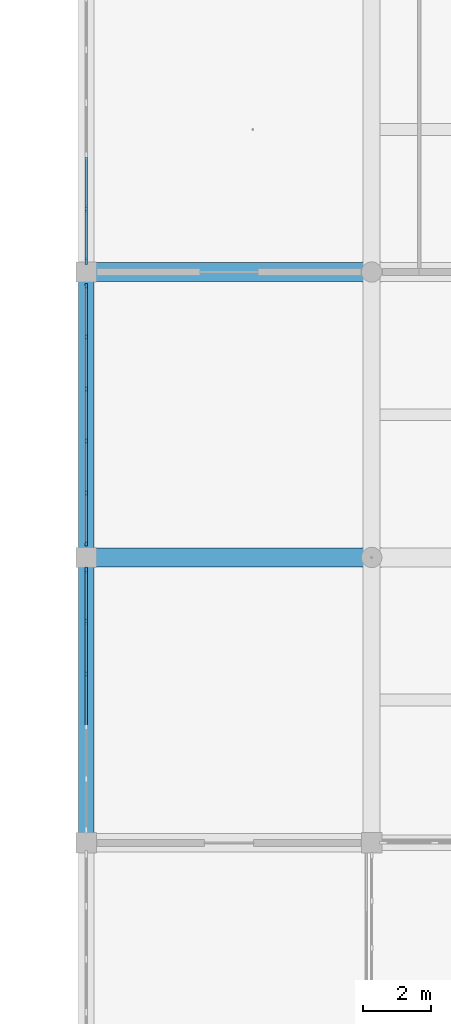
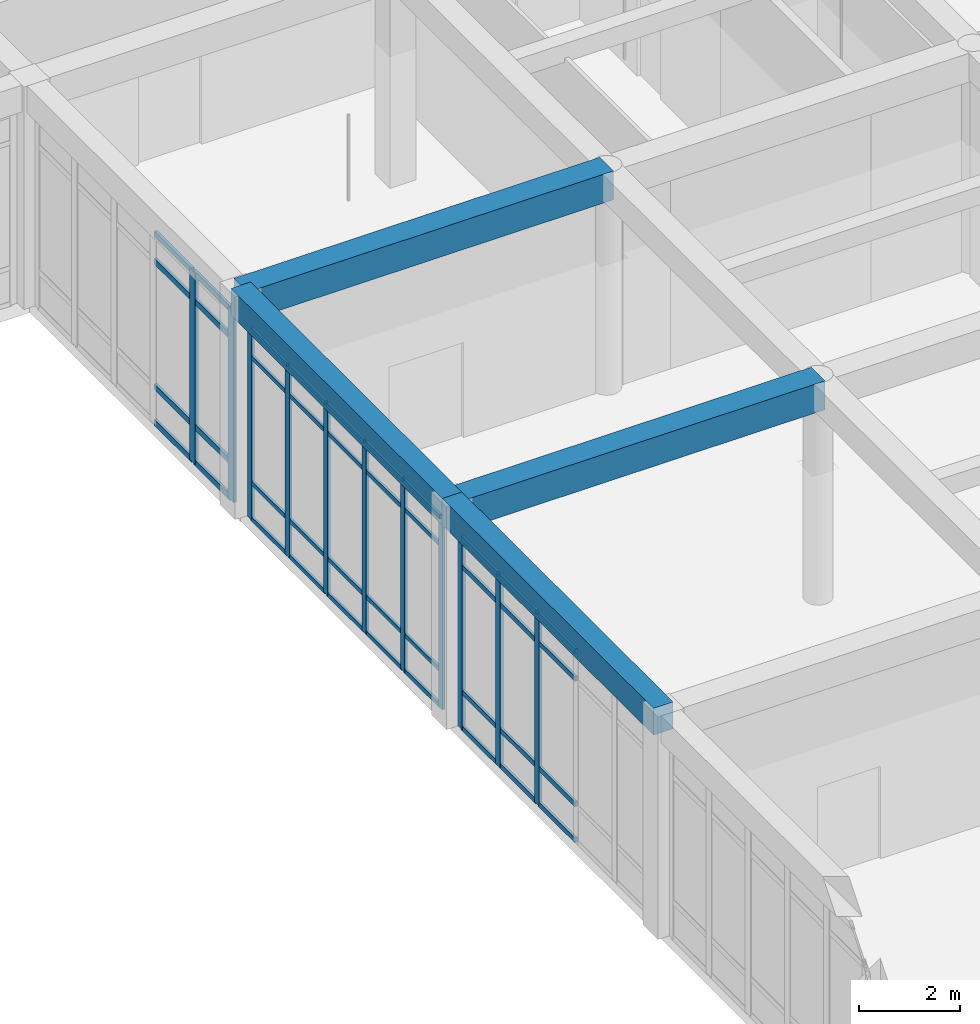
# One storey, part 33 of 157: 51 members, 4 beams, 3 elements without a shape of their own.
"""IFC4 building model written with IfcOpenShell, lengths in metres."""

from ifc_helpers import new_model, si_unit, direction, frame, origin, origin_2d, place, context, subcontext, project, spatial, rectangle, extrude, material, material_profile, profile_set, type_object, element, aggregate, save


model = new_model("IFC4")

# Units and contexts
model_context = context("Model", 3, precision=1e-05, world=origin(), true_north=direction((0.0, 1.0)))
body_context = subcontext(model_context, "Body", "Model", "MODEL_VIEW")
ifc_project = project(units=[si_unit("LENGTHUNIT", "METRE"), si_unit("AREAUNIT", "SQUARE_METRE"), si_unit("VOLUMEUNIT", "CUBIC_METRE"), si_unit("PLANEANGLEUNIT", "RADIAN"), si_unit("MASSUNIT", "GRAM", prefix="KILO")], contexts=[model_context])

# Site, building, storey
site_placement = place(None, origin())
site = spatial("IfcSite", under=ifc_project, at=site_placement, CompositionType="ELEMENT")
building_placement = place(site_placement, origin())
building = spatial("IfcBuilding", under=site, at=building_placement, Name="Varncliffe General Hospital", CompositionType="ELEMENT")
storey_placement = place(building_placement, frame((0.0, 0.0, 5.39990234375)))
storey = spatial("IfcBuildingStorey", under=building, at=storey_placement, Name="L01", CompositionType="ELEMENT", Elevation=5.39990234375)

# Beams
ifc_material_1 = material(Name="Concrete C35/45 (CSA A23.1 35 MPa)", Category="concrete")
ifc_material_profile_1 = material_profile(ifc_material_1, rectangle(XDim=0.550048828125, YDim=0.699951171875, at=origin_2d()), Name="RC 550x700")
ifc_profile_set_1 = profile_set([ifc_material_profile_1], Name="Concrete C35/45 (CSA A23.1 35 MPa)")
beam_type_1 = type_object("IfcBeamType", Name="Beam B35 (Int RC 550x700)", PredefinedType="BEAM", material=ifc_profile_set_1)
for number, where, z_axis, x_axis, name in (
    (1, (58.800048828125, 66.0, 5.050048828125), (1.0, 0.0, 0.0), (0.0, 1.0, 0.0), "L01 Primary Beam B35-89"),
    (2, (58.800048828125, 74.39990234375, 5.050048828125), (1.0, 0.0, 0.0), (0.0, 1.0, 0.0), "L01 Primary Beam B35-102"),
):
    element("IfcBeam", number, at=place(storey_placement, frame(where, z_axis=z_axis, x_axis=x_axis)), inside=storey, type_object=beam_type_1, Name=name, PredefinedType="BEAM", context=body_context, shape_type="SweptSolid", body=[
        extrude(rectangle(XDim=0.550048828125, YDim=0.699951171875, at=origin_2d()), origin(), (0.0, 0.0, 1.0), 8.39990234375),
    ])

# Curtain wall, members
ifc_material_2 = material(Name="Triple low-E argon insulated vision glazing", Category="glass")
curtain_wall_type_1 = type_object("IfcCurtainWallType", Name="Unitised Glazed Curtain Wall CW70 (7724x4640)", PredefinedType="USERDEFINED", material=ifc_material_2)
curtain_wall_1_placement = place(storey_placement, origin())
curtain_wall_1 = element("IfcCurtainWall", 3, at=curtain_wall_1_placement, inside=storey, type_object=curtain_wall_type_1, Name="L01 Glazed Curtain Wall CW70-88", ObjectType="GLAZED CURTAIN WALL", PredefinedType="USERDEFINED")
ifc_material_3 = material(Name="Dark bronze thermally broken aluminium framing", Category="aluminium")
ifc_material_profile_2 = material_profile(ifc_material_3, rectangle(XDim=0.074951171875, YDim=0.179931640625, at=origin_2d()), Name="ALU 75x180")
ifc_profile_set_2 = profile_set([ifc_material_profile_2], Name="Dark bronze thermally broken aluminium framing")
member_type_1 = type_object("IfcMemberType", Name="Curtain Wall Mullion CM44 (ALU 75x180)", PredefinedType="MULLION", material=ifc_profile_set_2)
member_1_placement = place(storey_placement, frame((58.800048828125, 62.572509765625, 0.0), z_axis=(0.0, 0.0, 1.0), x_axis=(-1.0, 0.0, 0.0)))
member_1 = element("IfcMember", 4, at=member_1_placement, type_object=member_type_1, Name="CW70 mullion 4", PredefinedType="MULLION", context=body_context, shape_type="SweptSolid", body=[
    extrude(rectangle(XDim=0.074951171875, YDim=0.179931640625, at=origin_2d()), origin(), (0.0, 0.0, 1.0), 4.64013671875),
])
member_2_placement = place(storey_placement, frame((58.800048828125, 64.1171875, 0.0), z_axis=(0.0, 0.0, 1.0), x_axis=(-1.0, 0.0, 0.0)))
member_2 = element("IfcMember", 5, at=member_2_placement, type_object=member_type_1, Name="CW70 mullion 5", PredefinedType="MULLION", context=body_context, shape_type="SweptSolid", body=[
    extrude(rectangle(XDim=0.074951171875, YDim=0.179931640625, at=origin_2d()), origin(), (0.0, 0.0, 1.0), 4.64013671875),
])
member_3_placement = place(storey_placement, frame((58.800048828125, 65.62451171875, 0.0), z_axis=(0.0, 0.0, 1.0), x_axis=(-1.0, 0.0, 0.0)))
member_3 = element("IfcMember", 6, at=member_3_placement, type_object=member_type_1, Name="CW70 mullion 6", PredefinedType="MULLION", context=body_context, shape_type="SweptSolid", body=[
    extrude(rectangle(XDim=0.074951171875, YDim=0.179931640625, at=origin_2d()), origin(), (0.0, 0.0, 1.0), 4.64013671875),
])

curtain_wall_type_2 = type_object("IfcCurtainWallType", Name="Unitised Glazed Curtain Wall CW27 (7644x4640)", PredefinedType="USERDEFINED", material=ifc_material_2)
curtain_wall_2_placement = place(storey_placement, origin())
curtain_wall_2 = element("IfcCurtainWall", 7, at=curtain_wall_2_placement, inside=storey, type_object=curtain_wall_type_2, Name="L01 Glazed Curtain Wall CW27-89", ObjectType="GLAZED CURTAIN WALL", PredefinedType="USERDEFINED")
ifc_material_profile_3 = material_profile(ifc_material_3, rectangle(XDim=0.06494140625, YDim=0.159912109375, at=origin_2d()), Name="ALU 65x160")
ifc_profile_set_3 = profile_set([ifc_material_profile_3], Name="Dark bronze thermally broken aluminium framing")
member_type_2 = type_object("IfcMemberType", Name="Curtain Wall Mullion CM65 (ALU 65x160)", PredefinedType="MULLION", material=ifc_profile_set_3)
member_4_placement = place(storey_placement, frame((58.800048828125, 66.410400390625, 0.0), z_axis=(0.0, 0.0, 1.0), x_axis=(-1.0, 0.0, 0.0)))
member_4 = element("IfcMember", 8, at=member_4_placement, type_object=member_type_2, Name="CW27 mullion 1", PredefinedType="MULLION", context=body_context, shape_type="SweptSolid", body=[
    extrude(rectangle(XDim=0.06494140625, YDim=0.159912109375, at=origin_2d()), origin(), (0.0, 0.0, 1.0), 4.64013671875),
])
member_5_placement = place(storey_placement, frame((58.800048828125, 67.90673828125, 0.0), z_axis=(0.0, 0.0, 1.0), x_axis=(-1.0, 0.0, 0.0)))
member_5 = element("IfcMember", 9, at=member_5_placement, type_object=member_type_2, Name="CW27 mullion 2", PredefinedType="MULLION", context=body_context, shape_type="SweptSolid", body=[
    extrude(rectangle(XDim=0.06494140625, YDim=0.159912109375, at=origin_2d()), origin(), (0.0, 0.0, 1.0), 4.64013671875),
])
member_6_placement = place(storey_placement, frame((58.800048828125, 69.435546875, 0.0), z_axis=(0.0, 0.0, 1.0), x_axis=(-1.0, 0.0, 0.0)))
member_6 = element("IfcMember", 10, at=member_6_placement, type_object=member_type_2, Name="CW27 mullion 3", PredefinedType="MULLION", context=body_context, shape_type="SweptSolid", body=[
    extrude(rectangle(XDim=0.06494140625, YDim=0.159912109375, at=origin_2d()), origin(), (0.0, 0.0, 1.0), 4.64013671875),
])
member_7_placement = place(storey_placement, frame((58.800048828125, 70.96435546875, 0.0), z_axis=(0.0, 0.0, 1.0), x_axis=(-1.0, 0.0, 0.0)))
member_7 = element("IfcMember", 11, at=member_7_placement, type_object=member_type_2, Name="CW27 mullion 4", PredefinedType="MULLION", context=body_context, shape_type="SweptSolid", body=[
    extrude(rectangle(XDim=0.06494140625, YDim=0.159912109375, at=origin_2d()), origin(), (0.0, 0.0, 1.0), 4.64013671875),
])
member_8_placement = place(storey_placement, frame((58.800048828125, 72.4931640625, 0.0), z_axis=(0.0, 0.0, 1.0), x_axis=(-1.0, 0.0, 0.0)))
member_8 = element("IfcMember", 12, at=member_8_placement, type_object=member_type_2, Name="CW27 mullion 5", PredefinedType="MULLION", context=body_context, shape_type="SweptSolid", body=[
    extrude(rectangle(XDim=0.06494140625, YDim=0.159912109375, at=origin_2d()), origin(), (0.0, 0.0, 1.0), 4.64013671875),
])
member_9_placement = place(storey_placement, frame((58.800048828125, 73.989501953125, 0.0), z_axis=(0.0, 0.0, 1.0), x_axis=(-1.0, 0.0, 0.0)))
member_9 = element("IfcMember", 13, at=member_9_placement, type_object=member_type_2, Name="CW27 mullion 6", PredefinedType="MULLION", context=body_context, shape_type="SweptSolid", body=[
    extrude(rectangle(XDim=0.06494140625, YDim=0.159912109375, at=origin_2d()), origin(), (0.0, 0.0, 1.0), 4.64013671875),
])

curtain_wall_type_3 = type_object("IfcCurtainWallType", Name="Unitised Glazed Curtain Wall CW85 (7804x4640)", PredefinedType="USERDEFINED", material=ifc_material_2)
curtain_wall_3_placement = place(storey_placement, origin())
curtain_wall_3 = element("IfcCurtainWall", 14, at=curtain_wall_3_placement, inside=storey, type_object=curtain_wall_type_3, Name="L01 Glazed Curtain Wall CW85-90", ObjectType="GLAZED CURTAIN WALL", PredefinedType="USERDEFINED")
ifc_material_profile_4 = material_profile(ifc_material_3, rectangle(XDim=0.074951171875, YDim=0.219970703125, at=origin_2d()), Name="ALU 75x220")
ifc_profile_set_4 = profile_set([ifc_material_profile_4], Name="Dark bronze thermally broken aluminium framing")
member_type_3 = type_object("IfcMemberType", Name="Curtain Wall Mullion CM74 (ALU 75x220)", PredefinedType="MULLION", material=ifc_profile_set_4)
member_10_placement = place(storey_placement, frame((58.800048828125, 74.735595703125, 0.0), z_axis=(0.0, 0.0, 1.0), x_axis=(-1.0, 0.0, 0.0)))
member_10 = element("IfcMember", 15, at=member_10_placement, type_object=member_type_3, Name="CW85 mullion 1", PredefinedType="MULLION", context=body_context, shape_type="SweptSolid", body=[
    extrude(rectangle(XDim=0.074951171875, YDim=0.219970703125, at=origin_2d()), origin(), (0.0, 0.0, 1.0), 4.64013671875),
])
member_11_placement = place(storey_placement, frame((58.800048828125, 76.2587890625, 0.0), z_axis=(0.0, 0.0, 1.0), x_axis=(-1.0, 0.0, 0.0)))
member_11 = element("IfcMember", 16, at=member_11_placement, type_object=member_type_3, Name="CW85 mullion 2", PredefinedType="MULLION", context=body_context, shape_type="SweptSolid", body=[
    extrude(rectangle(XDim=0.074951171875, YDim=0.219970703125, at=origin_2d()), origin(), (0.0, 0.0, 1.0), 4.64013671875),
])

# Member
ifc_material_profile_5 = material_profile(ifc_material_3, rectangle(XDim=0.06005859375, YDim=0.1201171875, at=origin_2d()), Name="ALU 60x120")
ifc_profile_set_5 = profile_set([ifc_material_profile_5], Name="Dark bronze thermally broken aluminium framing")
member_type_4 = type_object("IfcMemberType", Name="Curtain Wall Transom CT14 (ALU 60x120)", PredefinedType="USERDEFINED", material=ifc_profile_set_5)
member_12_placement = place(storey_placement, frame((58.800048828125, 61.065185546875, 0.030029296875), z_axis=(0.0, 1.0, 0.0), x_axis=(-1.0, 0.0, 0.0)))
member_12 = element("IfcMember", 17, at=member_12_placement, type_object=member_type_4, Name="CW70 transom 3.1", ObjectType="TRANSOM", PredefinedType="USERDEFINED", context=body_context, shape_type="SweptSolid", body=[
    extrude(rectangle(XDim=0.06005859375, YDim=0.1201171875, at=origin_2d()), origin(), (0.0, 0.0, 1.0), 1.4697265625),
])

member_13_placement = place(storey_placement, frame((58.800048828125, 61.065185546875, 0.900146484375), z_axis=(0.0, 1.0, 0.0), x_axis=(-1.0, 0.0, 0.0)))
member_13 = element("IfcMember", 18, at=member_13_placement, type_object=member_type_4, Name="CW70 transom 3.2", ObjectType="TRANSOM", PredefinedType="USERDEFINED", context=body_context, shape_type="SweptSolid", body=[
    extrude(rectangle(XDim=0.06005859375, YDim=0.1201171875, at=origin_2d()), origin(), (0.0, 0.0, 1.0), 1.4697265625),
])

member_14_placement = place(storey_placement, frame((58.800048828125, 61.065185546875, 3.940185546875), z_axis=(0.0, 1.0, 0.0), x_axis=(-1.0, 0.0, 0.0)))
member_14 = element("IfcMember", 19, at=member_14_placement, type_object=member_type_4, Name="CW70 transom 3.3", ObjectType="TRANSOM", PredefinedType="USERDEFINED", context=body_context, shape_type="SweptSolid", body=[
    extrude(rectangle(XDim=0.06005859375, YDim=0.1201171875, at=origin_2d()), origin(), (0.0, 0.0, 1.0), 1.4697265625),
])

member_15_placement = place(storey_placement, frame((58.800048828125, 61.065185546875, 4.610107421875), z_axis=(0.0, 1.0, 0.0), x_axis=(-1.0, 0.0, 0.0)))
member_15 = element("IfcMember", 20, at=member_15_placement, type_object=member_type_4, Name="CW70 transom 3.4", ObjectType="TRANSOM", PredefinedType="USERDEFINED", context=body_context, shape_type="SweptSolid", body=[
    extrude(rectangle(XDim=0.06005859375, YDim=0.1201171875, at=origin_2d()), origin(), (0.0, 0.0, 1.0), 1.4697265625),
])

member_16_placement = place(storey_placement, frame((58.800048828125, 62.60986328125, 0.030029296875), z_axis=(0.0, 1.0, 0.0), x_axis=(-1.0, 0.0, 0.0)))
member_16 = element("IfcMember", 21, at=member_16_placement, type_object=member_type_4, Name="CW70 transom 4.1", ObjectType="TRANSOM", PredefinedType="USERDEFINED", context=body_context, shape_type="SweptSolid", body=[
    extrude(rectangle(XDim=0.06005859375, YDim=0.1201171875, at=origin_2d()), origin(), (0.0, 0.0, 1.0), 1.4697265625),
])

member_17_placement = place(storey_placement, frame((58.800048828125, 62.60986328125, 0.900146484375), z_axis=(0.0, 1.0, 0.0), x_axis=(-1.0, 0.0, 0.0)))
member_17 = element("IfcMember", 22, at=member_17_placement, type_object=member_type_4, Name="CW70 transom 4.2", ObjectType="TRANSOM", PredefinedType="USERDEFINED", context=body_context, shape_type="SweptSolid", body=[
    extrude(rectangle(XDim=0.06005859375, YDim=0.1201171875, at=origin_2d()), origin(), (0.0, 0.0, 1.0), 1.4697265625),
])

member_18_placement = place(storey_placement, frame((58.800048828125, 62.60986328125, 3.940185546875), z_axis=(0.0, 1.0, 0.0), x_axis=(-1.0, 0.0, 0.0)))
member_18 = element("IfcMember", 23, at=member_18_placement, type_object=member_type_4, Name="CW70 transom 4.3", ObjectType="TRANSOM", PredefinedType="USERDEFINED", context=body_context, shape_type="SweptSolid", body=[
    extrude(rectangle(XDim=0.06005859375, YDim=0.1201171875, at=origin_2d()), origin(), (0.0, 0.0, 1.0), 1.4697265625),
])

member_19_placement = place(storey_placement, frame((58.800048828125, 62.60986328125, 4.610107421875), z_axis=(0.0, 1.0, 0.0), x_axis=(-1.0, 0.0, 0.0)))
member_19 = element("IfcMember", 24, at=member_19_placement, type_object=member_type_4, Name="CW70 transom 4.4", ObjectType="TRANSOM", PredefinedType="USERDEFINED", context=body_context, shape_type="SweptSolid", body=[
    extrude(rectangle(XDim=0.06005859375, YDim=0.1201171875, at=origin_2d()), origin(), (0.0, 0.0, 1.0), 1.4697265625),
])

member_20_placement = place(storey_placement, frame((58.800048828125, 64.15478515625, 0.030029296875), z_axis=(0.0, 1.0, 0.0), x_axis=(-1.0, 0.0, 0.0)))
member_20 = element("IfcMember", 25, at=member_20_placement, type_object=member_type_4, Name="CW70 transom 5.1", ObjectType="TRANSOM", PredefinedType="USERDEFINED", context=body_context, shape_type="SweptSolid", body=[
    extrude(rectangle(XDim=0.06005859375, YDim=0.1201171875, at=origin_2d()), origin(), (0.0, 0.0, 1.0), 1.43212890625),
])

member_21_placement = place(storey_placement, frame((58.800048828125, 64.15478515625, 0.900146484375), z_axis=(0.0, 1.0, 0.0), x_axis=(-1.0, 0.0, 0.0)))
member_21 = element("IfcMember", 26, at=member_21_placement, type_object=member_type_4, Name="CW70 transom 5.2", ObjectType="TRANSOM", PredefinedType="USERDEFINED", context=body_context, shape_type="SweptSolid", body=[
    extrude(rectangle(XDim=0.06005859375, YDim=0.1201171875, at=origin_2d()), origin(), (0.0, 0.0, 1.0), 1.43212890625),
])

member_22_placement = place(storey_placement, frame((58.800048828125, 64.15478515625, 3.940185546875), z_axis=(0.0, 1.0, 0.0), x_axis=(-1.0, 0.0, 0.0)))
member_22 = element("IfcMember", 27, at=member_22_placement, type_object=member_type_4, Name="CW70 transom 5.3", ObjectType="TRANSOM", PredefinedType="USERDEFINED", context=body_context, shape_type="SweptSolid", body=[
    extrude(rectangle(XDim=0.06005859375, YDim=0.1201171875, at=origin_2d()), origin(), (0.0, 0.0, 1.0), 1.43212890625),
])

member_23_placement = place(storey_placement, frame((58.800048828125, 64.15478515625, 4.610107421875), z_axis=(0.0, 1.0, 0.0), x_axis=(-1.0, 0.0, 0.0)))
member_23 = element("IfcMember", 28, at=member_23_placement, type_object=member_type_4, Name="CW70 transom 5.4", ObjectType="TRANSOM", PredefinedType="USERDEFINED", context=body_context, shape_type="SweptSolid", body=[
    extrude(rectangle(XDim=0.06005859375, YDim=0.1201171875, at=origin_2d()), origin(), (0.0, 0.0, 1.0), 1.43212890625),
])

aggregate(curtain_wall_1, [member_1, member_2, member_3, member_12, member_13, member_14, member_15, member_16, member_17, member_18, member_19, member_20, member_21, member_22, member_23])

ifc_material_profile_6 = material_profile(ifc_material_3, rectangle(XDim=0.06005859375, YDim=0.10009765625, at=origin_2d()), Name="ALU 60x100")
ifc_profile_set_6 = profile_set([ifc_material_profile_6], Name="Dark bronze thermally broken aluminium framing")
member_type_5 = type_object("IfcMemberType", Name="Curtain Wall Transom CT18 (ALU 60x100)", PredefinedType="USERDEFINED", material=ifc_profile_set_6)
member_24_placement = place(storey_placement, frame((58.800048828125, 66.443115234375, 0.030029296875), z_axis=(0.0, 1.0, 0.0), x_axis=(-1.0, 0.0, 0.0)))
member_24 = element("IfcMember", 29, at=member_24_placement, type_object=member_type_5, Name="CW27 transom 1.1", ObjectType="TRANSOM", PredefinedType="USERDEFINED", context=body_context, shape_type="SweptSolid", body=[
    extrude(rectangle(XDim=0.06005859375, YDim=0.10009765625, at=origin_2d()), origin(), (0.0, 0.0, 1.0), 1.43115234375),
])

member_25_placement = place(storey_placement, frame((58.800048828125, 66.443115234375, 0.900146484375), z_axis=(0.0, 1.0, 0.0), x_axis=(-1.0, 0.0, 0.0)))
member_25 = element("IfcMember", 30, at=member_25_placement, type_object=member_type_5, Name="CW27 transom 1.2", ObjectType="TRANSOM", PredefinedType="USERDEFINED", context=body_context, shape_type="SweptSolid", body=[
    extrude(rectangle(XDim=0.06005859375, YDim=0.10009765625, at=origin_2d()), origin(), (0.0, 0.0, 1.0), 1.43115234375),
])

member_26_placement = place(storey_placement, frame((58.800048828125, 66.443115234375, 3.940185546875), z_axis=(0.0, 1.0, 0.0), x_axis=(-1.0, 0.0, 0.0)))
member_26 = element("IfcMember", 31, at=member_26_placement, type_object=member_type_5, Name="CW27 transom 1.3", ObjectType="TRANSOM", PredefinedType="USERDEFINED", context=body_context, shape_type="SweptSolid", body=[
    extrude(rectangle(XDim=0.06005859375, YDim=0.10009765625, at=origin_2d()), origin(), (0.0, 0.0, 1.0), 1.43115234375),
])

member_27_placement = place(storey_placement, frame((58.800048828125, 66.443115234375, 4.610107421875), z_axis=(0.0, 1.0, 0.0), x_axis=(-1.0, 0.0, 0.0)))
member_27 = element("IfcMember", 32, at=member_27_placement, type_object=member_type_5, Name="CW27 transom 1.4", ObjectType="TRANSOM", PredefinedType="USERDEFINED", context=body_context, shape_type="SweptSolid", body=[
    extrude(rectangle(XDim=0.06005859375, YDim=0.10009765625, at=origin_2d()), origin(), (0.0, 0.0, 1.0), 1.43115234375),
])

member_28_placement = place(storey_placement, frame((58.800048828125, 67.939208984375, 0.030029296875), z_axis=(0.0, 1.0, 0.0), x_axis=(-1.0, 0.0, 0.0)))
member_28 = element("IfcMember", 33, at=member_28_placement, type_object=member_type_5, Name="CW27 transom 2.1", ObjectType="TRANSOM", PredefinedType="USERDEFINED", context=body_context, shape_type="SweptSolid", body=[
    extrude(rectangle(XDim=0.06005859375, YDim=0.10009765625, at=origin_2d()), origin(), (0.0, 0.0, 1.0), 1.4638671875),
])

member_29_placement = place(storey_placement, frame((58.800048828125, 67.939208984375, 0.900146484375), z_axis=(0.0, 1.0, 0.0), x_axis=(-1.0, 0.0, 0.0)))
member_29 = element("IfcMember", 34, at=member_29_placement, type_object=member_type_5, Name="CW27 transom 2.2", ObjectType="TRANSOM", PredefinedType="USERDEFINED", context=body_context, shape_type="SweptSolid", body=[
    extrude(rectangle(XDim=0.06005859375, YDim=0.10009765625, at=origin_2d()), origin(), (0.0, 0.0, 1.0), 1.4638671875),
])

member_30_placement = place(storey_placement, frame((58.800048828125, 67.939208984375, 3.940185546875), z_axis=(0.0, 1.0, 0.0), x_axis=(-1.0, 0.0, 0.0)))
member_30 = element("IfcMember", 35, at=member_30_placement, type_object=member_type_5, Name="CW27 transom 2.3", ObjectType="TRANSOM", PredefinedType="USERDEFINED", context=body_context, shape_type="SweptSolid", body=[
    extrude(rectangle(XDim=0.06005859375, YDim=0.10009765625, at=origin_2d()), origin(), (0.0, 0.0, 1.0), 1.4638671875),
])

member_31_placement = place(storey_placement, frame((58.800048828125, 67.939208984375, 4.610107421875), z_axis=(0.0, 1.0, 0.0), x_axis=(-1.0, 0.0, 0.0)))
member_31 = element("IfcMember", 36, at=member_31_placement, type_object=member_type_5, Name="CW27 transom 2.4", ObjectType="TRANSOM", PredefinedType="USERDEFINED", context=body_context, shape_type="SweptSolid", body=[
    extrude(rectangle(XDim=0.06005859375, YDim=0.10009765625, at=origin_2d()), origin(), (0.0, 0.0, 1.0), 1.4638671875),
])

member_32_placement = place(storey_placement, frame((58.800048828125, 69.468017578125, 0.030029296875), z_axis=(0.0, 1.0, 0.0), x_axis=(-1.0, 0.0, 0.0)))
member_32 = element("IfcMember", 37, at=member_32_placement, type_object=member_type_5, Name="CW27 transom 3.1", ObjectType="TRANSOM", PredefinedType="USERDEFINED", context=body_context, shape_type="SweptSolid", body=[
    extrude(rectangle(XDim=0.06005859375, YDim=0.10009765625, at=origin_2d()), origin(), (0.0, 0.0, 1.0), 1.4638671875),
])

member_33_placement = place(storey_placement, frame((58.800048828125, 69.468017578125, 0.900146484375), z_axis=(0.0, 1.0, 0.0), x_axis=(-1.0, 0.0, 0.0)))
member_33 = element("IfcMember", 38, at=member_33_placement, type_object=member_type_5, Name="CW27 transom 3.2", ObjectType="TRANSOM", PredefinedType="USERDEFINED", context=body_context, shape_type="SweptSolid", body=[
    extrude(rectangle(XDim=0.06005859375, YDim=0.10009765625, at=origin_2d()), origin(), (0.0, 0.0, 1.0), 1.4638671875),
])

member_34_placement = place(storey_placement, frame((58.800048828125, 69.468017578125, 3.940185546875), z_axis=(0.0, 1.0, 0.0), x_axis=(-1.0, 0.0, 0.0)))
member_34 = element("IfcMember", 39, at=member_34_placement, type_object=member_type_5, Name="CW27 transom 3.3", ObjectType="TRANSOM", PredefinedType="USERDEFINED", context=body_context, shape_type="SweptSolid", body=[
    extrude(rectangle(XDim=0.06005859375, YDim=0.10009765625, at=origin_2d()), origin(), (0.0, 0.0, 1.0), 1.4638671875),
])

member_35_placement = place(storey_placement, frame((58.800048828125, 69.468017578125, 4.610107421875), z_axis=(0.0, 1.0, 0.0), x_axis=(-1.0, 0.0, 0.0)))
member_35 = element("IfcMember", 40, at=member_35_placement, type_object=member_type_5, Name="CW27 transom 3.4", ObjectType="TRANSOM", PredefinedType="USERDEFINED", context=body_context, shape_type="SweptSolid", body=[
    extrude(rectangle(XDim=0.06005859375, YDim=0.10009765625, at=origin_2d()), origin(), (0.0, 0.0, 1.0), 1.4638671875),
])

member_36_placement = place(storey_placement, frame((58.800048828125, 70.996826171875, 0.030029296875), z_axis=(0.0, 1.0, 0.0), x_axis=(-1.0, 0.0, 0.0)))
member_36 = element("IfcMember", 41, at=member_36_placement, type_object=member_type_5, Name="CW27 transom 4.1", ObjectType="TRANSOM", PredefinedType="USERDEFINED", context=body_context, shape_type="SweptSolid", body=[
    extrude(rectangle(XDim=0.06005859375, YDim=0.10009765625, at=origin_2d()), origin(), (0.0, 0.0, 1.0), 1.4638671875),
])

member_37_placement = place(storey_placement, frame((58.800048828125, 70.996826171875, 0.900146484375), z_axis=(0.0, 1.0, 0.0), x_axis=(-1.0, 0.0, 0.0)))
member_37 = element("IfcMember", 42, at=member_37_placement, type_object=member_type_5, Name="CW27 transom 4.2", ObjectType="TRANSOM", PredefinedType="USERDEFINED", context=body_context, shape_type="SweptSolid", body=[
    extrude(rectangle(XDim=0.06005859375, YDim=0.10009765625, at=origin_2d()), origin(), (0.0, 0.0, 1.0), 1.4638671875),
])

member_38_placement = place(storey_placement, frame((58.800048828125, 70.996826171875, 3.940185546875), z_axis=(0.0, 1.0, 0.0), x_axis=(-1.0, 0.0, 0.0)))
member_38 = element("IfcMember", 43, at=member_38_placement, type_object=member_type_5, Name="CW27 transom 4.3", ObjectType="TRANSOM", PredefinedType="USERDEFINED", context=body_context, shape_type="SweptSolid", body=[
    extrude(rectangle(XDim=0.06005859375, YDim=0.10009765625, at=origin_2d()), origin(), (0.0, 0.0, 1.0), 1.4638671875),
])

member_39_placement = place(storey_placement, frame((58.800048828125, 70.996826171875, 4.610107421875), z_axis=(0.0, 1.0, 0.0), x_axis=(-1.0, 0.0, 0.0)))
member_39 = element("IfcMember", 44, at=member_39_placement, type_object=member_type_5, Name="CW27 transom 4.4", ObjectType="TRANSOM", PredefinedType="USERDEFINED", context=body_context, shape_type="SweptSolid", body=[
    extrude(rectangle(XDim=0.06005859375, YDim=0.10009765625, at=origin_2d()), origin(), (0.0, 0.0, 1.0), 1.4638671875),
])

member_40_placement = place(storey_placement, frame((58.800048828125, 72.525634765625, 0.030029296875), z_axis=(0.0, 1.0, 0.0), x_axis=(-1.0, 0.0, 0.0)))
member_40 = element("IfcMember", 45, at=member_40_placement, type_object=member_type_5, Name="CW27 transom 5.1", ObjectType="TRANSOM", PredefinedType="USERDEFINED", context=body_context, shape_type="SweptSolid", body=[
    extrude(rectangle(XDim=0.06005859375, YDim=0.10009765625, at=origin_2d()), origin(), (0.0, 0.0, 1.0), 1.431396484375),
])

member_41_placement = place(storey_placement, frame((58.800048828125, 72.525634765625, 0.900146484375), z_axis=(0.0, 1.0, 0.0), x_axis=(-1.0, 0.0, 0.0)))
member_41 = element("IfcMember", 46, at=member_41_placement, type_object=member_type_5, Name="CW27 transom 5.2", ObjectType="TRANSOM", PredefinedType="USERDEFINED", context=body_context, shape_type="SweptSolid", body=[
    extrude(rectangle(XDim=0.06005859375, YDim=0.10009765625, at=origin_2d()), origin(), (0.0, 0.0, 1.0), 1.431396484375),
])

member_42_placement = place(storey_placement, frame((58.800048828125, 72.525634765625, 3.940185546875), z_axis=(0.0, 1.0, 0.0), x_axis=(-1.0, 0.0, 0.0)))
member_42 = element("IfcMember", 47, at=member_42_placement, type_object=member_type_5, Name="CW27 transom 5.3", ObjectType="TRANSOM", PredefinedType="USERDEFINED", context=body_context, shape_type="SweptSolid", body=[
    extrude(rectangle(XDim=0.06005859375, YDim=0.10009765625, at=origin_2d()), origin(), (0.0, 0.0, 1.0), 1.431396484375),
])

member_43_placement = place(storey_placement, frame((58.800048828125, 72.525634765625, 4.610107421875), z_axis=(0.0, 1.0, 0.0), x_axis=(-1.0, 0.0, 0.0)))
member_43 = element("IfcMember", 48, at=member_43_placement, type_object=member_type_5, Name="CW27 transom 5.4", ObjectType="TRANSOM", PredefinedType="USERDEFINED", context=body_context, shape_type="SweptSolid", body=[
    extrude(rectangle(XDim=0.06005859375, YDim=0.10009765625, at=origin_2d()), origin(), (0.0, 0.0, 1.0), 1.431396484375),
])

aggregate(curtain_wall_2, [member_4, member_5, member_6, member_7, member_8, member_9, member_24, member_25, member_26, member_27, member_28, member_29, member_30, member_31, member_32, member_33, member_34, member_35, member_36, member_37, member_38, member_39, member_40, member_41, member_42, member_43])

ifc_material_profile_7 = material_profile(ifc_material_3, rectangle(XDim=0.06494140625, YDim=0.139892578125, at=origin_2d()), Name="ALU 65x140")
ifc_profile_set_7 = profile_set([ifc_material_profile_7], Name="Dark bronze thermally broken aluminium framing")
member_type_6 = type_object("IfcMemberType", Name="Curtain Wall Transom CT69 (ALU 65x140)", PredefinedType="USERDEFINED", material=ifc_profile_set_7)
member_44_placement = place(storey_placement, frame((58.800048828125, 74.77294921875, 0.03271484375), z_axis=(0.0, 1.0, 0.0), x_axis=(-1.0, 0.0, 0.0)))
member_44 = element("IfcMember", 49, at=member_44_placement, type_object=member_type_6, Name="CW85 transom 1.1", ObjectType="TRANSOM", PredefinedType="USERDEFINED", context=body_context, shape_type="SweptSolid", body=[
    extrude(rectangle(XDim=0.06494140625, YDim=0.139892578125, at=origin_2d()), origin(), (0.0, 0.0, 1.0), 1.4482421875),
])

member_45_placement = place(storey_placement, frame((58.800048828125, 74.77294921875, 0.900146484375), z_axis=(0.0, 1.0, 0.0), x_axis=(-1.0, 0.0, 0.0)))
member_45 = element("IfcMember", 50, at=member_45_placement, type_object=member_type_6, Name="CW85 transom 1.2", ObjectType="TRANSOM", PredefinedType="USERDEFINED", context=body_context, shape_type="SweptSolid", body=[
    extrude(rectangle(XDim=0.06494140625, YDim=0.139892578125, at=origin_2d()), origin(), (0.0, 0.0, 1.0), 1.4482421875),
])

member_46_placement = place(storey_placement, frame((58.800048828125, 74.77294921875, 3.940185546875), z_axis=(0.0, 1.0, 0.0), x_axis=(-1.0, 0.0, 0.0)))
member_46 = element("IfcMember", 51, at=member_46_placement, type_object=member_type_6, Name="CW85 transom 1.3", ObjectType="TRANSOM", PredefinedType="USERDEFINED", context=body_context, shape_type="SweptSolid", body=[
    extrude(rectangle(XDim=0.06494140625, YDim=0.139892578125, at=origin_2d()), origin(), (0.0, 0.0, 1.0), 1.4482421875),
])

member_47_placement = place(storey_placement, frame((58.800048828125, 74.77294921875, 4.607666015625), z_axis=(0.0, 1.0, 0.0), x_axis=(-1.0, 0.0, 0.0)))
member_47 = element("IfcMember", 52, at=member_47_placement, type_object=member_type_6, Name="CW85 transom 1.4", ObjectType="TRANSOM", PredefinedType="USERDEFINED", context=body_context, shape_type="SweptSolid", body=[
    extrude(rectangle(XDim=0.06494140625, YDim=0.139892578125, at=origin_2d()), origin(), (0.0, 0.0, 1.0), 1.4482421875),
])

member_48_placement = place(storey_placement, frame((58.800048828125, 76.29638671875, 0.03271484375), z_axis=(0.0, 1.0, 0.0), x_axis=(-1.0, 0.0, 0.0)))
member_48 = element("IfcMember", 53, at=member_48_placement, type_object=member_type_6, Name="CW85 transom 2.1", ObjectType="TRANSOM", PredefinedType="USERDEFINED", context=body_context, shape_type="SweptSolid", body=[
    extrude(rectangle(XDim=0.06494140625, YDim=0.139892578125, at=origin_2d()), origin(), (0.0, 0.0, 1.0), 1.485595703125),
])

member_49_placement = place(storey_placement, frame((58.800048828125, 76.29638671875, 0.900146484375), z_axis=(0.0, 1.0, 0.0), x_axis=(-1.0, 0.0, 0.0)))
member_49 = element("IfcMember", 54, at=member_49_placement, type_object=member_type_6, Name="CW85 transom 2.2", ObjectType="TRANSOM", PredefinedType="USERDEFINED", context=body_context, shape_type="SweptSolid", body=[
    extrude(rectangle(XDim=0.06494140625, YDim=0.139892578125, at=origin_2d()), origin(), (0.0, 0.0, 1.0), 1.485595703125),
])

member_50_placement = place(storey_placement, frame((58.800048828125, 76.29638671875, 3.940185546875), z_axis=(0.0, 1.0, 0.0), x_axis=(-1.0, 0.0, 0.0)))
member_50 = element("IfcMember", 55, at=member_50_placement, type_object=member_type_6, Name="CW85 transom 2.3", ObjectType="TRANSOM", PredefinedType="USERDEFINED", context=body_context, shape_type="SweptSolid", body=[
    extrude(rectangle(XDim=0.06494140625, YDim=0.139892578125, at=origin_2d()), origin(), (0.0, 0.0, 1.0), 1.485595703125),
])

member_51_placement = place(storey_placement, frame((58.800048828125, 76.29638671875, 4.607666015625), z_axis=(0.0, 1.0, 0.0), x_axis=(-1.0, 0.0, 0.0)))
member_51 = element("IfcMember", 56, at=member_51_placement, type_object=member_type_6, Name="CW85 transom 2.4", ObjectType="TRANSOM", PredefinedType="USERDEFINED", context=body_context, shape_type="SweptSolid", body=[
    extrude(rectangle(XDim=0.06494140625, YDim=0.139892578125, at=origin_2d()), origin(), (0.0, 0.0, 1.0), 1.485595703125),
])

aggregate(curtain_wall_3, [member_10, member_11, member_44, member_45, member_46, member_47, member_48, member_49, member_50, member_51])

# Beams
ifc_material_profile_8 = material_profile(ifc_material_1, rectangle(XDim=0.449951171875, YDim=0.64990234375, at=origin_2d()), Name="RC 450x650")
ifc_profile_set_8 = profile_set([ifc_material_profile_8], Name="Concrete C35/45 (CSA A23.1 35 MPa)")
beam_type_2 = type_object("IfcBeamType", Name="Spandrel SP38 (Ext RC 450x650B)", PredefinedType="SPANDREL", material=ifc_profile_set_8)
for number, where, z_axis, x_axis, name in (
    (57, (58.800048828125, 57.60009765625, 5.0751953125), (0.0, 1.0, 0.0), (-1.0, 0.0, 0.0), "L01 Spandrel Beam SP38-359"),
    (58, (58.800048828125, 66.0, 5.0751953125), (0.0, 1.0, 0.0), (-1.0, 0.0, 0.0), "L01 Spandrel Beam SP38-360"),
):
    element("IfcBeam", number, at=place(storey_placement, frame(where, z_axis=z_axis, x_axis=x_axis)), inside=storey, type_object=beam_type_2, Name=name, PredefinedType="SPANDREL", context=body_context, shape_type="SweptSolid", body=[
        extrude(rectangle(XDim=0.449951171875, YDim=0.64990234375, at=origin_2d()), origin(), (0.0, 0.0, 1.0), 8.39990234375),
    ])

save(model, "model.ifc")
